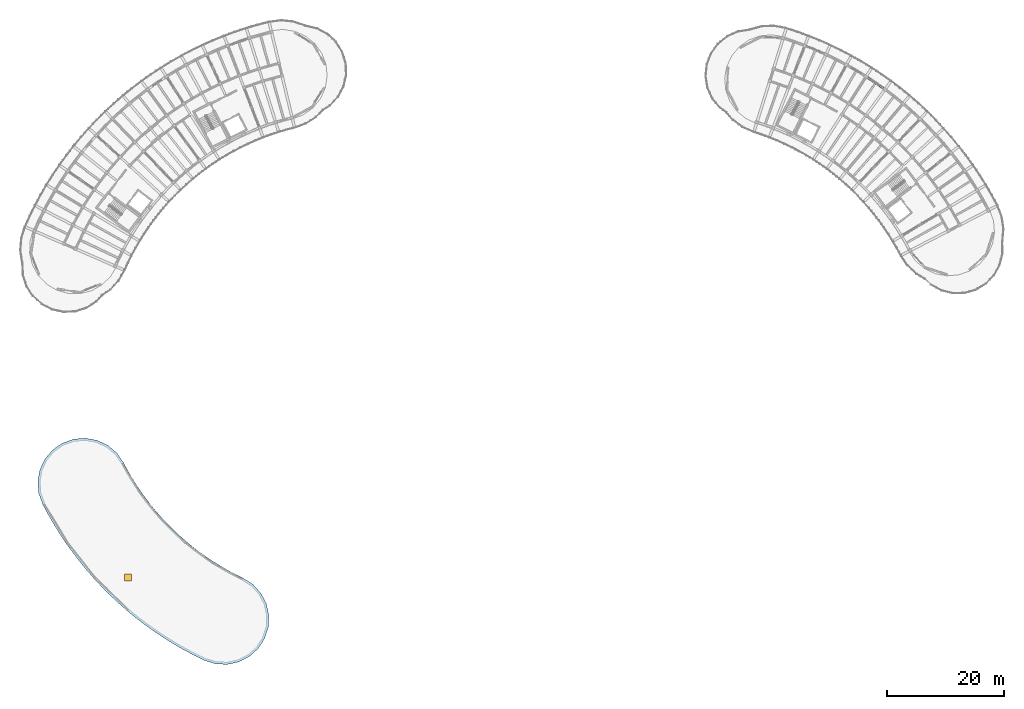
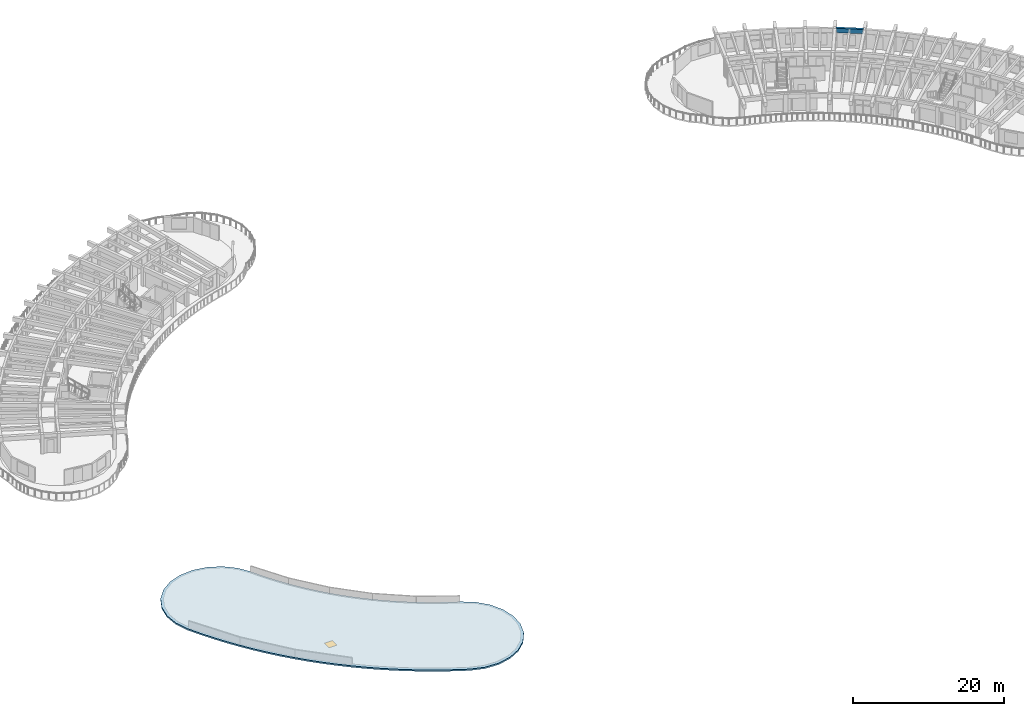
"""IFC4 building model written with IfcOpenShell, lengths in metres."""

from ifc_helpers import new_model, si_unit, direction, frame, origin, origin_2d, place, context, subcontext, project, spatial, polyline, rectangle, outline, extrude, material, layer, layer_set, material_profile, profile_set, type_object, element, fill, save


model = new_model("IFC4")

# Units and contexts
model_context = context("Model", 3, precision=1e-05, world=origin(), true_north=direction((0.0, 1.0)))
body_context = subcontext(model_context, "Body", "Model", "MODEL_VIEW")
ifc_project = project(units=[si_unit("LENGTHUNIT", "METRE"), si_unit("AREAUNIT", "SQUARE_METRE"), si_unit("VOLUMEUNIT", "CUBIC_METRE"), si_unit("PLANEANGLEUNIT", "RADIAN"), si_unit("MASSUNIT", "GRAM", prefix="KILO")], contexts=[model_context])

# Site, building, storey
site_placement = place(None, origin())
site = spatial("IfcSite", under=ifc_project, at=site_placement, CompositionType="ELEMENT")
building_placement = place(site_placement, origin())
building = spatial("IfcBuilding", under=site, at=building_placement, Name="Tanwirah Colonnade Gardens", CompositionType="ELEMENT")
storey_1_placement = place(building_placement, frame((0.0, 0.0, 39.080078125)))
storey_1 = spatial("IfcBuildingStorey", under=building, at=storey_1_placement, Name="L11", CompositionType="ELEMENT", Elevation=39.080078125)

# Beam
ifc_material_1 = material(Name="Precast concrete C40/50", Category="concrete")
ifc_material_profile = material_profile(ifc_material_1, rectangle(XDim=0.3349609375, YDim=0.695068359375, at=origin_2d()), Name="PC-SP 335x695")
ifc_profile_set = profile_set([ifc_material_profile], Name="Precast concrete C40/50")
beam_type = type_object("IfcBeamType", Name="SP-PC300", PredefinedType="SPANDREL", material=ifc_profile_set)
beam_placement = place(storey_1_placement, frame((156.0654296875, 108.325439453125, 2.7724609375), z_axis=(-0.825782625102, 0.563988524776, 0.0), x_axis=(-0.563988524776, -0.825782625102, 0.0)))
element("IfcBeam", 1, at=beam_placement, inside=storey_1, type_object=beam_type, Name="Block B L11 Circumferential Beam 10-R3", PredefinedType="SPANDREL", context=body_context, shape_type="SweptSolid", body=[
    extrude(rectangle(XDim=0.3349609375, YDim=0.695068359375, at=origin_2d()), origin(), (0.0, 0.0, 1.0), 3.625732421875),
])

# Slab, opening
ifc_material_2 = material(Name="Precast concrete C45/55", Category="concrete")
ifc_layer = layer(ifc_material_2, 0.235107421875)
ifc_layer_set = layer_set([ifc_layer], Name="Precast concrete C45/55")
slab_type = type_object("IfcSlabType", Name="RF-RES-235", PredefinedType="ROOF", material=ifc_layer_set)
slab_placement = place(storey_1_placement, frame((0.0, 0.0, -0.235107421875)))
slab = element("IfcSlab", 2, at=slab_placement, inside=storey_1, type_object=slab_type, Name="Block C Main Precast Roof Slab", PredefinedType="ROOF", context=body_context, shape_type="SweptSolid", body=[
    extrude(outline(polyline([(24.544921875, 45.93505859375), (22.99072265625, 47.250732421875), (21.149169921875, 48.119140625), (19.145263671875, 48.481689453125), (17.1162109375, 48.31298828125), (15.19970703125, 47.625), (13.526611328125, 46.46435546875), (12.2109375, 44.91015625), (11.342529296875, 43.068603515625), (10.97998046875, 41.064697265625), (11.148681640625, 39.03564453125), (11.836669921875, 37.119140625), (12.76123046875, 35.394287109375), (13.741455078125, 33.70068359375), (14.776611328125, 32.0400390625), (15.865478515625, 30.414306640625), (17.007080078125, 28.82470703125), (18.199951171875, 27.273681640625), (19.443115234375, 25.76220703125), (20.73486328125, 24.29248046875), (22.07421875, 22.86572265625), (23.45947265625, 21.4833984375), (24.88916015625, 20.1474609375), (26.36181640625, 18.858642578125), (27.875732421875, 17.618896484375), (29.4296875, 16.429443359375), (31.021484375, 15.291259765625), (32.649658203125, 14.205810546875), (34.312744140625, 13.17431640625), (36.00830078125, 12.19775390625), (37.735107421875, 11.277099609375), (39.4912109375, 10.41357421875), (41.430419921875, 9.792724609375), (43.46435546875, 9.695068359375), (45.4541015625, 10.127197265625), (47.264404296875, 11.0595703125), (48.771728515625, 12.428466796875), (49.873291015625, 14.14111328125), (50.493896484375, 16.080322265625), (50.591552734375, 18.1142578125), (50.15966796875, 20.10400390625), (49.227294921875, 21.914306640625), (47.858154296875, 23.421630859375), (46.145751953125, 24.523193359375), (44.84765625, 25.161376953125), (43.571533203125, 25.841796875), (42.318115234375, 26.563720703125), (41.0888671875, 27.326171875), (39.885498046875, 28.12841796875), (38.708740234375, 28.969482421875), (37.560302734375, 29.848876953125), (36.44140625, 30.76513671875), (35.352783203125, 31.717529296875), (34.296142578125, 32.705078125), (33.272216796875, 33.726806640625), (32.282470703125, 34.781494140625), (31.327392578125, 35.86767578125), (30.40869140625, 36.98486328125), (29.52685546875, 38.13134765625), (28.68310546875, 39.30615234375), (27.87841796875, 40.5078125), (27.11328125, 41.7353515625), (26.388671875, 42.987060546875), (25.705322265625, 44.261962890625), (24.544921875, 45.93505859375)])), origin(), (0.0, 0.0, 1.0), 0.235107421875),
])
opening_placement = place(slab_placement, frame((26.446533203125, 24.57666015625, -0.010009765625)))
opening = element("IfcOpeningElement", 3, at=opening_placement, cuts=slab, Name="Opening SKY-HAT1", PredefinedType="OPENING", context=body_context, shape_type="SweptSolid", body=[
    extrude(rectangle(XDim=1.199951171875, YDim=1.199951171875, at=origin_2d()), origin(), (0.0, 0.0, 1.0), 0.255126953125),
])

# Storey
storey_2_placement = place(building_placement, frame((0.0, 0.0, 35.719970703125)))
storey_2 = spatial("IfcBuildingStorey", under=building, at=storey_2_placement, Name="L10", CompositionType="ELEMENT", Elevation=35.719970703125)

# Window
ifc_material_3 = material(Name="Thermally broken bronze aluminium and solar low-E double glazing", Category="aluminium")
window_type = type_object("IfcWindowType", Name="SKY-HAT1", PartitioningType="SINGLE_PANEL", PredefinedType="SKYLIGHT", material=ifc_material_3)
window_placement = place(slab_placement, frame((26.446533203125, 24.57666015625, 0.18505859375)))
window = element("IfcWindow", 4, at=window_placement, inside=storey_2, type_object=window_type, Name="Block C Roof Access Skylight Hatch", OverallHeight=1.199951171875, OverallWidth=1.199951171875, PartitioningType="SINGLE_PANEL", PredefinedType="SKYLIGHT", context=body_context, shape_type="SweptSolid", body=[
    extrude(rectangle(XDim=1.199951171875, YDim=1.199951171875, at=origin_2d()), origin(), (0.0, 0.0, 1.0), 0.050048828125),
])

fill(opening, window)

save(model, "model.ifc")
